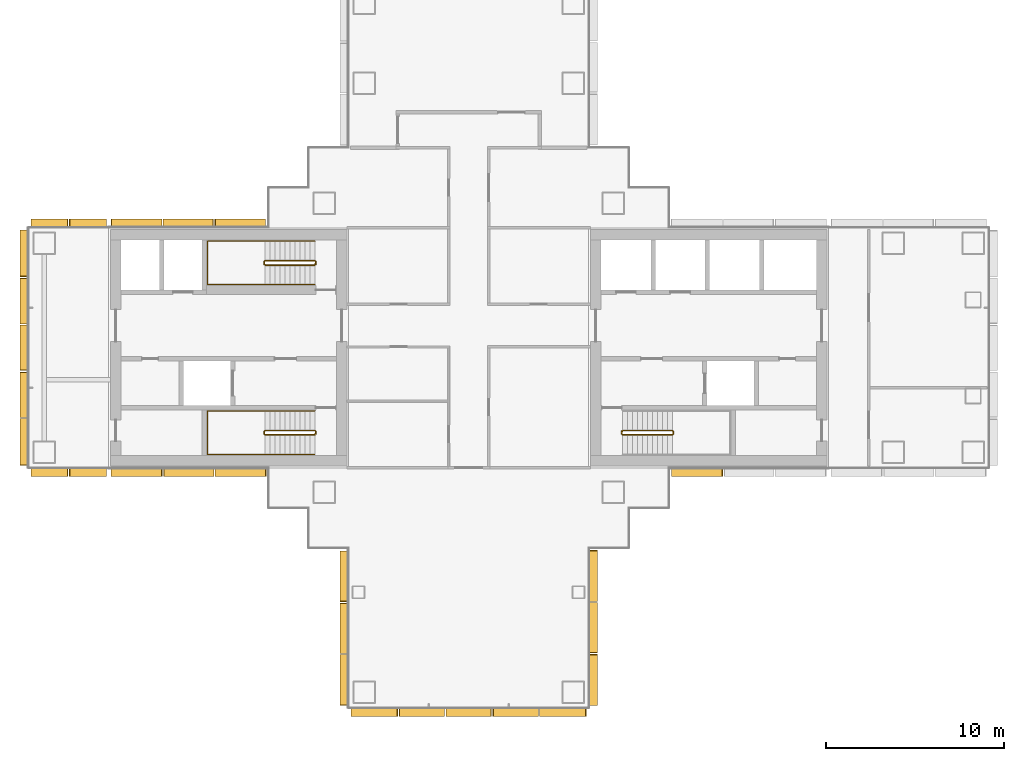
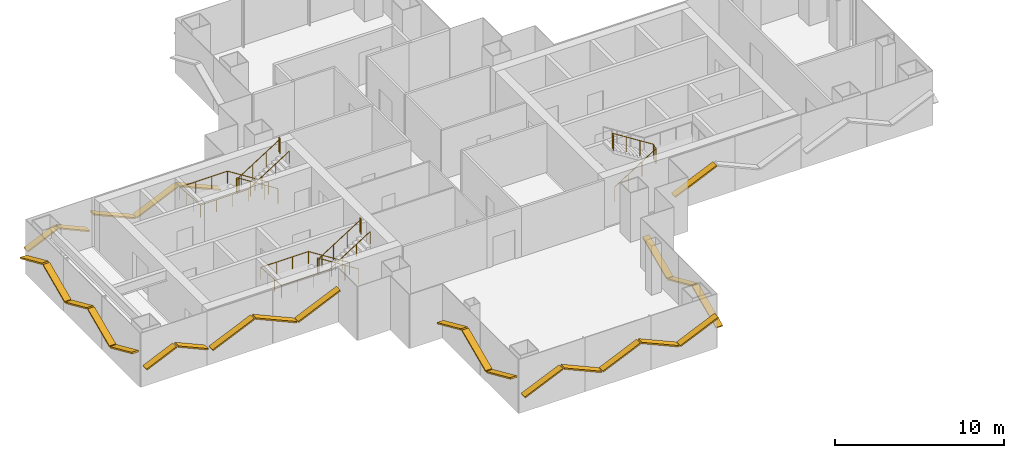
# One storey, part 16 of 19: 27 shading devices, 5 railings.
"""IFC4 building model written with IfcOpenShell, lengths in metres."""

import ifcopenshell
import ifcopenshell.guid

model = None  # the IFC model being written
_history = None  # IfcOwnerHistory: only IFC2X3 demands one
_inside = {}  # id of a spatial element -> (the spatial element, [elements in it])
_under = {}  # id of a project, library or spatial element -> (it, [spatial elements below it])
_declared = {}  # id of a project -> (the project, [libraries it declares])
_typed = {}  # id of a type object -> (the type object, [elements of that type])
_made_of = {}  # id of a material, layer set ... -> (it, [elements and type objects made of it])


def new_model(schema):
    """Start an empty IFC model of exactly this schema.

    Asked for "IFC4X3", IfcOpenShell would pick the latest addendum, in which some entities
    have other attributes; the version numbers below select the first issue.
    IFC2X3 requires an IfcOwnerHistory on every rooted entity: one is made here for all.
    """
    global model, _history
    if schema == "IFC4X3":
        model = ifcopenshell.file(schema_version=(4, 3, 0, 0))
    else:
        model = ifcopenshell.file(schema=schema)
    _inside.clear()
    _under.clear()
    _declared.clear()
    _typed.clear()
    _made_of.clear()
    _history = None
    if model.schema == "IFC2X3":
        org = make("IfcOrganization", Name="unknown")
        user = make(
            "IfcPersonAndOrganization",
            ThePerson=make("IfcPerson", FamilyName="unknown"),
            TheOrganization=org,
        )
        app = make(
            "IfcApplication",
            ApplicationDeveloper=org,
            Version="unknown",
            ApplicationFullName="unknown",
            ApplicationIdentifier="unknown",
        )
        _history = make(
            "IfcOwnerHistory",
            OwningUser=user,
            OwningApplication=app,
            ChangeAction="ADDED",
            CreationDate=0,
        )
    return model


def make(cls, **values):
    """One entity of the class cls with the attributes given. An attribute that is None is left unset."""
    return model.create_entity(
        cls, **{name: value for name, value in values.items() if value is not None}
    )


def rooted(cls, **values):
    """An entity with a GlobalId (a new one), such as an element, a storey or a relation."""
    return make(cls, GlobalId=ifcopenshell.guid.new(), OwnerHistory=_history, **values)


def si_unit(unit_type, name, prefix=None):
    """IfcSIUnit, for example si_unit("LENGTHUNIT", "METRE", prefix="MILLI")."""
    return make("IfcSIUnit", UnitType=unit_type, Prefix=prefix, Name=name)


def assignment(units):
    """IfcUnitAssignment: the units of a project."""
    return None if units is None else make("IfcUnitAssignment", Units=units)


def point(xyz):
    """IfcCartesianPoint."""
    return None if xyz is None else make("IfcCartesianPoint", Coordinates=xyz)


def direction(xyz):
    """IfcDirection."""
    return None if xyz is None else make("IfcDirection", DirectionRatios=xyz)


def frame(location, z_axis=None, x_axis=None):
    """IfcAxis2Placement3D, a coordinate frame: its origin and axes. An axis left out is left unset."""
    return make(
        "IfcAxis2Placement3D",
        Location=point(location),
        Axis=direction(z_axis),
        RefDirection=direction(x_axis),
    )


def frame_2d(location, x_axis=None):
    """IfcAxis2Placement2D, a coordinate frame in the plane: its origin and x axis."""
    return make(
        "IfcAxis2Placement2D", Location=point(location), RefDirection=direction(x_axis)
    )


def origin():
    """The frame at (0, 0, 0) with its axes left unset."""
    return frame((0.0, 0.0, 0.0))


def origin_2d():
    """The frame at (0, 0) in the plane with its x axis left unset."""
    return frame_2d((0.0, 0.0))


def place(relative_to, where):
    """IfcLocalPlacement: puts the frame where relative to a parent placement (None: the world)."""
    return make(
        "IfcLocalPlacement", PlacementRelTo=relative_to, RelativePlacement=where
    )


def context(
    kind, dimensions, precision=None, world=None, true_north=None, identifier=None
):
    """IfcGeometricRepresentationContext, for example the 3D "Model" context."""
    return make(
        "IfcGeometricRepresentationContext",
        ContextIdentifier=identifier,
        ContextType=kind,
        CoordinateSpaceDimension=dimensions,
        Precision=precision,
        WorldCoordinateSystem=world,
        TrueNorth=true_north,
    )


def subcontext(parent, identifier, kind, view, scale=None):
    """IfcGeometricRepresentationSubContext, for example "Body" below "Model"."""
    return make(
        "IfcGeometricRepresentationSubContext",
        ContextIdentifier=identifier,
        ContextType=kind,
        ParentContext=parent,
        TargetScale=scale,
        TargetView=view,
    )


def project(units=None, contexts=None):
    """IfcProject with its units and contexts."""
    return rooted(
        "IfcProject",
        Name="project",
        RepresentationContexts=contexts,
        UnitsInContext=assignment(units),
    )


def spatial(cls, under=None, at=None, **own):
    """A site, building, storey or space (cls), placed at a placement, below another one or the project."""
    s = rooted(cls, ObjectPlacement=at, **own)
    if under is not None:
        _under.setdefault(under.id(), (under, []))[1].append(s)
    return s


def profile(cls, at=None, kind="AREA", **sizes):
    """A parametric profile (cls). Its sizes go by their IFC names, for example OverallWidth=200.0."""
    return make(cls, ProfileType=kind, Position=at, **sizes)


def rectangle(**sizes):
    """IfcRectangleProfileDef."""
    return profile("IfcRectangleProfileDef", **sizes)


def circle(**sizes):
    """IfcCircleProfileDef."""
    return profile("IfcCircleProfileDef", **sizes)


def extrude(swept, where, along, depth):
    """IfcExtrudedAreaSolid: the profile swept, set in the frame where, extruded along a direction by depth."""
    return make(
        "IfcExtrudedAreaSolid",
        SweptArea=swept,
        Position=where,
        ExtrudedDirection=direction(along),
        Depth=depth,
    )


def shape(context_of_items, identifier, shape_type, items):
    """IfcShapeRepresentation: the items that make up one representation, for example the "Body"."""
    return make(
        "IfcShapeRepresentation",
        ContextOfItems=context_of_items,
        RepresentationIdentifier=identifier,
        RepresentationType=shape_type,
        Items=items,
    )


def material(Name=None, Category=None):
    """IfcMaterial."""
    return make("IfcMaterial", Name=Name, Category=Category)


def material_profile(
    of_material, cross_section, Name=None, Category=None, Priority=None
):
    """IfcMaterialProfile: a cross section and its material."""
    return make(
        "IfcMaterialProfile",
        Name=Name,
        Material=of_material,
        Profile=cross_section,
        Priority=Priority,
        Category=Category,
    )


def profile_set(profiles, Name=None, composite=None):
    """IfcMaterialProfileSet."""
    return make(
        "IfcMaterialProfileSet",
        Name=Name,
        MaterialProfiles=profiles,
        CompositeProfile=composite,
    )


def made_of(thing, what):
    """Note that an element or type object is made of a material, layer set ...; save() writes the relation."""
    if what is not None:
        _made_of.setdefault(what.id(), (what, []))[1].append(thing)
    return thing


def type_object(cls, material=None, **own):
    """A type object (cls), such as IfcWallType, which elements share."""
    return made_of(rooted(cls, **own), material)


def element(
    cls,
    number,
    at=None,
    inside=None,
    cuts=None,
    type_object=None,
    material=None,
    context=None,
    identifier="Body",
    shape_type=None,
    held_by="IfcProductDefinitionShape",
    body=None,
    shapes=None,
    **own,
):
    """One element of the class cls, such as IfcWall. Its Tag is "e" and its number.

    at: its placement. inside: the storey or other place that contains it. cuts: it is an
    opening in that element (IfcRelVoidsElement). A single representation is given by context,
    identifier, shape_type and body (its items); several are given by shapes. held_by: the class
    of the entity that holds the representations. save() writes the other relations.
    """
    e = rooted(cls, Tag="e%d" % number, ObjectPlacement=at, **own)
    if body is not None:
        shapes = [shape(context, identifier, shape_type, body)]
    if shapes is not None:
        e.Representation = make(held_by, Representations=shapes)
    if inside is not None:
        _inside.setdefault(inside.id(), (inside, []))[1].append(e)
    if cuts is not None:
        rooted(
            "IfcRelVoidsElement", RelatingBuildingElement=cuts, RelatedOpeningElement=e
        )
    if type_object is not None:
        _typed.setdefault(type_object.id(), (type_object, []))[1].append(e)
    return made_of(e, material)


def aggregate(whole, parts):
    """IfcRelAggregates: a whole, such as a stair, and the parts it consists of."""
    return rooted("IfcRelAggregates", RelatingObject=whole, RelatedObjects=parts)


def save(model, path):
    """Write the relations noted so far, then the file.

    IfcRelAggregates (storeys below a building ...), IfcRelContainedInSpatialStructure (elements
    in a storey), IfcRelDefinesByType, IfcRelAssociatesMaterial and IfcRelDeclares: one each for
    every whole, place, type object, material and project.
    """
    for whole, parts in _under.values():
        aggregate(whole, parts)
    for where, things in _inside.values():
        rooted(
            "IfcRelContainedInSpatialStructure",
            RelatedElements=things,
            RelatingStructure=where,
        )
    for kind, things in _typed.values():
        rooted("IfcRelDefinesByType", RelatedObjects=things, RelatingType=kind)
    for what, things in _made_of.values():
        rooted("IfcRelAssociatesMaterial", RelatedObjects=things, RelatingMaterial=what)
    for by, libraries in _declared.values():
        rooted("IfcRelDeclares", RelatingContext=by, RelatedDefinitions=libraries)
    model.write(path)


model = new_model("IFC4")

# Units and contexts
model_context = context("Model", 3, precision=1e-05, world=origin(), true_north=direction((0.0, 1.0)))
body_context = subcontext(model_context, "Body", "Model", "MODEL_VIEW")
ifc_project = project(units=[si_unit("LENGTHUNIT", "METRE"), si_unit("AREAUNIT", "SQUARE_METRE"), si_unit("VOLUMEUNIT", "CUBIC_METRE"), si_unit("PLANEANGLEUNIT", "RADIAN"), si_unit("MASSUNIT", "GRAM", prefix="KILO")], contexts=[model_context])

# Site, building, storey
site_placement = place(None, origin())
site = spatial("IfcSite", under=ifc_project, at=site_placement, CompositionType="ELEMENT")
building_placement = place(site_placement, origin())
building = spatial("IfcBuilding", under=site, at=building_placement, Name="Shamsa Quay Exchange Towers", CompositionType="ELEMENT")
storey_placement = place(building_placement, frame((0.0, 0.0, 89.699951171875)))
storey = spatial("IfcBuildingStorey", under=building, at=storey_placement, Name="L20", CompositionType="ELEMENT", Elevation=89.699951171875)

# Shading devices
ifc_material_1 = material(Name="Aluminium EN AW-6063 T6, black anodised", Category="aluminium")
ifc_material_profile = material_profile(ifc_material_1, rectangle(XDim=0.449951171875, YDim=0.10009765625, at=origin_2d()), Name="FIN450x100")
ifc_profile_set = profile_set([ifc_material_profile], Name="Aluminium EN AW-6063 T6, black anodised")
shading_device_type = type_object("IfcShadingDeviceType", Name="FIN 450x100 BLACK ALUMINIUM", PredefinedType="USERDEFINED", material=ifc_profile_set)
shading_device_1_placement = place(storey_placement, frame((-40.764892578125, -11.43798828125, 0.968505859375), z_axis=(0.0, -0.913558535862, 0.406707267643), x_axis=(1.0, 0.0, 0.0)))
element("IfcShadingDevice", 1, at=shading_device_1_placement, inside=storey, type_object=shading_device_type, Name="FIN T1 chevron rib", ObjectType="FIN", PredefinedType="USERDEFINED", context=body_context, shape_type="SweptSolid", body=[
    extrude(rectangle(XDim=0.449951171875, YDim=0.10009765625, at=origin_2d()), origin(), (0.0, 0.0, 1.0), 3.10595703125),
])
shading_device_2_placement = place(storey_placement, frame((-40.764892578125, -14.375244140625, 2.220458984375), z_axis=(0.0, -0.913550687431, -0.406724896576), x_axis=(1.0, 0.0, 0.0)))
element("IfcShadingDevice", 2, at=shading_device_2_placement, inside=storey, type_object=shading_device_type, Name="FIN T1 chevron rib", ObjectType="FIN", PredefinedType="USERDEFINED", context=body_context, shape_type="SweptSolid", body=[
    extrude(rectangle(XDim=0.449951171875, YDim=0.10009765625, at=origin_2d()), origin(), (0.0, 0.0, 1.0), 3.051025390625),
])
shading_device_3_placement = place(storey_placement, frame((-40.764892578125, -17.2626953125, 0.968505859375), z_axis=(0.0, -0.913558535862, 0.406707267643), x_axis=(1.0, 0.0, 0.0)))
element("IfcShadingDevice", 3, at=shading_device_3_placement, inside=storey, type_object=shading_device_type, Name="FIN T1 chevron rib", ObjectType="FIN", PredefinedType="USERDEFINED", context=body_context, shape_type="SweptSolid", body=[
    extrude(rectangle(XDim=0.449951171875, YDim=0.10009765625, at=origin_2d()), origin(), (0.0, 0.0, 1.0), 3.10595703125),
])
shading_device_4_placement = place(storey_placement, frame((-40.35009765625, -20.514892578125, 1.0234375), z_axis=(0.91355925163, 0.0, 0.406705659859), x_axis=(0.0, 1.0, 0.0)))
element("IfcShadingDevice", 4, at=shading_device_4_placement, inside=storey, type_object=shading_device_type, Name="FIN T1 chevron rib", ObjectType="FIN", PredefinedType="USERDEFINED", context=body_context, shape_type="SweptSolid", body=[
    extrude(rectangle(XDim=0.449951171875, YDim=0.10009765625, at=origin_2d()), origin(), (0.0, 0.0, 1.0), 2.835205078125),
])
shading_device_5_placement = place(storey_placement, frame((-37.659912109375, -20.514892578125, 2.16552734375), z_axis=(0.913536125794, 0.0, -0.406757602103), x_axis=(0.0, 1.0, 0.0)))
element("IfcShadingDevice", 5, at=shading_device_5_placement, inside=storey, type_object=shading_device_type, Name="FIN T1 chevron rib", ObjectType="FIN", PredefinedType="USERDEFINED", context=body_context, shape_type="SweptSolid", body=[
    extrude(rectangle(XDim=0.449951171875, YDim=0.10009765625, at=origin_2d()), origin(), (0.0, 0.0, 1.0), 2.7802734375),
])
shading_device_6_placement = place(storey_placement, frame((-35.02001953125, -20.514892578125, 1.03466796875), z_axis=(0.913550653139, 0.0, 0.4067249736), x_axis=(0.0, 1.0, 0.0)))
element("IfcShadingDevice", 6, at=shading_device_6_placement, inside=storey, type_object=shading_device_type, Name="FIN T1 chevron rib", ObjectType="FIN", PredefinedType="USERDEFINED", context=body_context, shape_type="SweptSolid", body=[
    extrude(rectangle(XDim=0.449951171875, YDim=0.10009765625, at=origin_2d()), origin(), (0.0, 0.0, 1.0), 2.780517578125),
])
shading_device_7_placement = place(storey_placement, frame((-32.3798828125, -20.514892578125, 2.16552734375), z_axis=(0.913536125794, 0.0, -0.406757602103), x_axis=(0.0, 1.0, 0.0)))
element("IfcShadingDevice", 7, at=shading_device_7_placement, inside=storey, type_object=shading_device_type, Name="FIN T1 chevron rib", ObjectType="FIN", PredefinedType="USERDEFINED", context=body_context, shape_type="SweptSolid", body=[
    extrude(rectangle(XDim=0.449951171875, YDim=0.10009765625, at=origin_2d()), origin(), (0.0, 0.0, 1.0), 2.7802734375),
])
shading_device_8_placement = place(storey_placement, frame((-29.739990234375, -20.514892578125, 1.0234375), z_axis=(0.91355925163, 0.0, 0.406705659859), x_axis=(0.0, 1.0, 0.0)))
element("IfcShadingDevice", 8, at=shading_device_8_placement, inside=storey, type_object=shading_device_type, Name="FIN T1 chevron rib", ObjectType="FIN", PredefinedType="USERDEFINED", context=body_context, shape_type="SweptSolid", body=[
    extrude(rectangle(XDim=0.449951171875, YDim=0.10009765625, at=origin_2d()), origin(), (0.0, 0.0, 1.0), 2.835205078125),
])
shading_device_9_placement = place(storey_placement, frame((-26.735107421875, -20.10009765625, 0.965576171875), z_axis=(0.0, 0.913533816972, 0.406762787444), x_axis=(-1.0, 0.0, 0.0)))
element("IfcShadingDevice", 9, at=shading_device_9_placement, inside=storey, type_object=shading_device_type, Name="FIN T1 chevron rib", ObjectType="FIN", PredefinedType="USERDEFINED", context=body_context, shape_type="SweptSolid", body=[
    extrude(rectangle(XDim=0.449951171875, YDim=0.10009765625, at=origin_2d()), origin(), (0.0, 0.0, 1.0), 3.119873046875),
])
shading_device_10_placement = place(storey_placement, frame((-26.735107421875, -17.14990234375, 2.223388671875), z_axis=(0.0, 0.913541981537, -0.406744450447), x_axis=(-1.0, 0.0, 0.0)))
element("IfcShadingDevice", 10, at=shading_device_10_placement, inside=storey, type_object=shading_device_type, Name="FIN T1 chevron rib", ObjectType="FIN", PredefinedType="USERDEFINED", context=body_context, shape_type="SweptSolid", body=[
    extrude(rectangle(XDim=0.449951171875, YDim=0.10009765625, at=origin_2d()), origin(), (0.0, 0.0, 1.0), 3.064697265625),
])
shading_device_11_placement = place(storey_placement, frame((-26.735107421875, -14.25, 0.965576171875), z_axis=(0.0, 0.913533816972, 0.406762787444), x_axis=(-1.0, 0.0, 0.0)))
element("IfcShadingDevice", 11, at=shading_device_11_placement, inside=storey, type_object=shading_device_type, Name="FIN T1 chevron rib", ObjectType="FIN", PredefinedType="USERDEFINED", context=body_context, shape_type="SweptSolid", body=[
    extrude(rectangle(XDim=0.449951171875, YDim=0.10009765625, at=origin_2d()), origin(), (0.0, 0.0, 1.0), 3.119873046875),
])
for number, where, z_axis, x_axis, name in (
    (12, (-22.31201171875, -7.01904296875, 0.968505859375), (0.913558535862, 0.0, 0.406707267643), (0.0, 1.0, 0.0), "FIN T1 chevron rib"),
    (13, (-45.18798828125, 7.01904296875, 0.968505859375), (-0.913558535862, 0.0, 0.406707267643), (0.0, -1.0, 0.0), "FIN T1 chevron rib"),
):
    element("IfcShadingDevice", number, at=place(storey_placement, frame(where, z_axis=z_axis, x_axis=x_axis)), inside=storey, type_object=shading_device_type, Name=name, ObjectType="FIN", PredefinedType="USERDEFINED", context=body_context, shape_type="SweptSolid", body=[
        extrude(rectangle(XDim=0.449951171875, YDim=0.10009765625, at=origin_2d()), origin(), (0.0, 0.0, 1.0), 3.10595703125),
    ])
shading_device_12_placement = place(storey_placement, frame((-48.125244140625, 7.01904296875, 2.220458984375), z_axis=(-0.913550687431, 0.0, -0.406724896576), x_axis=(0.0, -1.0, 0.0)))
element("IfcShadingDevice", 14, at=shading_device_12_placement, inside=storey, type_object=shading_device_type, Name="FIN T1 chevron rib", ObjectType="FIN", PredefinedType="USERDEFINED", context=body_context, shape_type="SweptSolid", body=[
    extrude(rectangle(XDim=0.449951171875, YDim=0.10009765625, at=origin_2d()), origin(), (0.0, 0.0, 1.0), 3.051025390625),
])
shading_device_13_placement = place(storey_placement, frame((-51.0126953125, 7.01904296875, 0.968505859375), z_axis=(-0.913558535862, 0.0, 0.406707267643), x_axis=(0.0, -1.0, 0.0)))
element("IfcShadingDevice", 15, at=shading_device_13_placement, inside=storey, type_object=shading_device_type, Name="FIN T1 chevron rib", ObjectType="FIN", PredefinedType="USERDEFINED", context=body_context, shape_type="SweptSolid", body=[
    extrude(rectangle(XDim=0.449951171875, YDim=0.10009765625, at=origin_2d()), origin(), (0.0, 0.0, 1.0), 3.10595703125),
])
for number, where, z_axis, x_axis, name in (
    (16, (-54.14990234375, 7.014892578125, 1.143798828125), (-0.913569116241, 0.0, 0.406683500835), (0.0, -1.0, 0.0), "FIN T1 chevron rib"),
    (17, (-56.300048828125, 7.014892578125, 2.056396484375), (-0.913569116241, 0.0, -0.406683500835), (0.0, -1.0, 0.0), "FIN T1 chevron rib"),
):
    element("IfcShadingDevice", number, at=place(storey_placement, frame(where, z_axis=z_axis, x_axis=x_axis)), inside=storey, type_object=shading_device_type, Name=name, ObjectType="FIN", PredefinedType="USERDEFINED", context=body_context, shape_type="SweptSolid", body=[
        extrude(rectangle(XDim=0.449951171875, YDim=0.10009765625, at=origin_2d()), origin(), (0.0, 0.0, 1.0), 2.243896484375),
    ])
shading_device_14_placement = place(storey_placement, frame((-58.764892578125, 6.60009765625, 1.0234375), z_axis=(0.0, -0.91355925163, 0.406705659859), x_axis=(1.0, 0.0, 0.0)))
element("IfcShadingDevice", 18, at=shading_device_14_placement, inside=storey, type_object=shading_device_type, Name="FIN T1 chevron rib", ObjectType="FIN", PredefinedType="USERDEFINED", context=body_context, shape_type="SweptSolid", body=[
    extrude(rectangle(XDim=0.449951171875, YDim=0.10009765625, at=origin_2d()), origin(), (0.0, 0.0, 1.0), 2.835205078125),
])
shading_device_15_placement = place(storey_placement, frame((-58.764892578125, 3.909912109375, 2.16552734375), z_axis=(0.0, -0.913536125794, -0.406757602103), x_axis=(1.0, 0.0, 0.0)))
element("IfcShadingDevice", 19, at=shading_device_15_placement, inside=storey, type_object=shading_device_type, Name="FIN T1 chevron rib", ObjectType="FIN", PredefinedType="USERDEFINED", context=body_context, shape_type="SweptSolid", body=[
    extrude(rectangle(XDim=0.449951171875, YDim=0.10009765625, at=origin_2d()), origin(), (0.0, 0.0, 1.0), 2.7802734375),
])
shading_device_16_placement = place(storey_placement, frame((-58.764892578125, 1.27001953125, 1.03466796875), z_axis=(0.0, -0.913550653139, 0.4067249736), x_axis=(1.0, 0.0, 0.0)))
element("IfcShadingDevice", 20, at=shading_device_16_placement, inside=storey, type_object=shading_device_type, Name="FIN T1 chevron rib", ObjectType="FIN", PredefinedType="USERDEFINED", context=body_context, shape_type="SweptSolid", body=[
    extrude(rectangle(XDim=0.449951171875, YDim=0.10009765625, at=origin_2d()), origin(), (0.0, 0.0, 1.0), 2.780517578125),
])
shading_device_17_placement = place(storey_placement, frame((-58.764892578125, -1.3701171875, 2.16552734375), z_axis=(0.0, -0.913536125794, -0.406757602103), x_axis=(1.0, 0.0, 0.0)))
element("IfcShadingDevice", 21, at=shading_device_17_placement, inside=storey, type_object=shading_device_type, Name="FIN T1 chevron rib", ObjectType="FIN", PredefinedType="USERDEFINED", context=body_context, shape_type="SweptSolid", body=[
    extrude(rectangle(XDim=0.449951171875, YDim=0.10009765625, at=origin_2d()), origin(), (0.0, 0.0, 1.0), 2.7802734375),
])
shading_device_18_placement = place(storey_placement, frame((-58.764892578125, -4.010009765625, 1.0234375), z_axis=(0.0, -0.91355925163, 0.406705659859), x_axis=(1.0, 0.0, 0.0)))
element("IfcShadingDevice", 22, at=shading_device_18_placement, inside=storey, type_object=shading_device_type, Name="FIN T1 chevron rib", ObjectType="FIN", PredefinedType="USERDEFINED", context=body_context, shape_type="SweptSolid", body=[
    extrude(rectangle(XDim=0.449951171875, YDim=0.10009765625, at=origin_2d()), origin(), (0.0, 0.0, 1.0), 2.835205078125),
])
for number, where, z_axis, x_axis, name in (
    (23, (-58.35009765625, -7.014892578125, 1.143798828125), (0.913569116241, 0.0, 0.406683500835), (0.0, 1.0, 0.0), "FIN T1 chevron rib"),
    (24, (-56.199951171875, -7.014892578125, 2.056396484375), (0.913569116241, 0.0, -0.406683500835), (0.0, 1.0, 0.0), "FIN T1 chevron rib"),
):
    element("IfcShadingDevice", number, at=place(storey_placement, frame(where, z_axis=z_axis, x_axis=x_axis)), inside=storey, type_object=shading_device_type, Name=name, ObjectType="FIN", PredefinedType="USERDEFINED", context=body_context, shape_type="SweptSolid", body=[
        extrude(rectangle(XDim=0.449951171875, YDim=0.10009765625, at=origin_2d()), origin(), (0.0, 0.0, 1.0), 2.243896484375),
    ])
shading_device_19_placement = place(storey_placement, frame((-53.85009765625, -7.01904296875, 0.965576171875), z_axis=(0.913533816972, 0.0, 0.406762787444), x_axis=(0.0, 1.0, 0.0)))
element("IfcShadingDevice", 25, at=shading_device_19_placement, inside=storey, type_object=shading_device_type, Name="FIN T1 chevron rib", ObjectType="FIN", PredefinedType="USERDEFINED", context=body_context, shape_type="SweptSolid", body=[
    extrude(rectangle(XDim=0.449951171875, YDim=0.10009765625, at=origin_2d()), origin(), (0.0, 0.0, 1.0), 3.119873046875),
])
shading_device_20_placement = place(storey_placement, frame((-50.89990234375, -7.01904296875, 2.223388671875), z_axis=(0.913541981537, 0.0, -0.406744450447), x_axis=(0.0, 1.0, 0.0)))
element("IfcShadingDevice", 26, at=shading_device_20_placement, inside=storey, type_object=shading_device_type, Name="FIN T1 chevron rib", ObjectType="FIN", PredefinedType="USERDEFINED", context=body_context, shape_type="SweptSolid", body=[
    extrude(rectangle(XDim=0.449951171875, YDim=0.10009765625, at=origin_2d()), origin(), (0.0, 0.0, 1.0), 3.064697265625),
])
shading_device_21_placement = place(storey_placement, frame((-48.0, -7.01904296875, 0.965576171875), z_axis=(0.913533816972, 0.0, 0.406762787444), x_axis=(0.0, 1.0, 0.0)))
element("IfcShadingDevice", 27, at=shading_device_21_placement, inside=storey, type_object=shading_device_type, Name="FIN T1 chevron rib", ObjectType="FIN", PredefinedType="USERDEFINED", context=body_context, shape_type="SweptSolid", body=[
    extrude(rectangle(XDim=0.449951171875, YDim=0.10009765625, at=origin_2d()), origin(), (0.0, 0.0, 1.0), 3.119873046875),
])

# Railings
ifc_material_2 = material(Name="Stainless steel", Category="steel")
railing_type_1 = type_object("IfcRailingType", Name="STAIR GUARD 1100", PredefinedType="GUARDRAIL", material=ifc_material_2)
railing_1_placement = place(storey_placement, frame((-25.10009765625, -4.89990234375, 0.17724609375)))
element("IfcRailing", 28, at=railing_1_placement, inside=storey, type_object=railing_type_1, Name="L20 ST1 stair guard 1", PredefinedType="GUARDRAIL", context=body_context, shape_type="SweptSolid", body=[
    extrude(circle(Radius=0.02392578125, at=origin_2d()), frame((0.0, 0.0, 1.076171875), z_axis=(0.844908973607, 0.0, 0.534910110503), x_axis=(0.0, 1.0, 0.0)), (0.0, 0.0, 1.0), 3.31396484375),
    extrude(circle(Radius=0.02392578125, at=origin_2d()), frame((2.800048828125, 0.0, 2.8486328125), z_axis=(0.708833529934, 0.705375805398, 0.0), x_axis=(-0.705375805398, 0.708833529934, 0.0)), (0.0, 0.0, 1.0), 0.070556640625),
    extrude(circle(Radius=0.02392578125, at=origin_2d()), frame((2.85009765625, 0.0498046875, 2.8486328125), z_axis=(0.0, 1.0, 0.0), x_axis=(-1.0, 0.0, 0.0)), (0.0, 0.0, 1.0), 0.150146484375),
    extrude(circle(Radius=0.02392578125, at=origin_2d()), frame((2.85009765625, 0.199951171875, 2.8486328125), z_axis=(-0.261922500866, 0.261922500866, 0.928866625022), x_axis=(-0.707106781187, -0.707106781187, 0.0)), (0.0, 0.0, 1.0), 0.191162109375),
    extrude(circle(Radius=0.02392578125, at=origin_2d()), frame((2.800048828125, 0.25, 3.0263671875), z_axis=(-0.844908973607, 0.0, 0.534910110503), x_axis=(0.0, -1.0, 0.0)), (0.0, 0.0, 1.0), 3.31396484375),
    extrude(circle(Radius=0.02392578125, at=origin_2d()), frame((0.0, 0.25, 4.798828125), z_axis=(-0.24142163986, -0.970420317083, 0.0), x_axis=(0.970420317083, -0.24142163986, 0.0)), (0.0, 0.0, 1.0), 0.206298828125),
    extrude(circle(Radius=0.02392578125, at=origin_2d()), frame((-0.0498046875, 0.0498046875, 4.798828125), z_axis=(0.0, 1.0, 0.0), x_axis=(-1.0, 0.0, 0.0)), (0.0, 0.0, 1.0), 0.150146484375),
    extrude(circle(Radius=0.02099609375, at=origin_2d()), origin(), (0.0, 0.0, 1.0), 1.052001953125),
    extrude(circle(Radius=0.02099609375, at=origin_2d()), frame((0.933349609375, 0.0, 0.5908203125)), (0.0, 0.0, 1.0), 1.052001953125),
    extrude(circle(Radius=0.02099609375, at=origin_2d()), frame((1.86669921875, 0.0, 1.181884765625)), (0.0, 0.0, 1.0), 1.052001953125),
    extrude(circle(Radius=0.02099609375, at=origin_2d()), frame((2.800048828125, 0.0, 1.772705078125)), (0.0, 0.0, 1.0), 1.052001953125),
    extrude(circle(Radius=0.02099609375, at=origin_2d()), frame((2.85009765625, 0.0498046875, 1.772705078125)), (0.0, 0.0, 1.0), 1.052001953125),
    extrude(circle(Radius=0.02099609375, at=origin_2d()), frame((2.85009765625, 0.199951171875, 1.772705078125)), (0.0, 0.0, 1.0), 1.052001953125),
    extrude(circle(Radius=0.02099609375, at=origin_2d()), frame((2.800048828125, 0.25, 1.9501953125)), (0.0, 0.0, 1.0), 1.052001953125),
    extrude(circle(Radius=0.02099609375, at=origin_2d()), frame((1.86669921875, 0.25, 2.541015625)), (0.0, 0.0, 1.0), 1.052001953125),
    extrude(circle(Radius=0.02099609375, at=origin_2d()), frame((0.933349609375, 0.25, 3.132080078125)), (0.0, 0.0, 1.0), 1.052001953125),
    extrude(circle(Radius=0.02099609375, at=origin_2d()), frame((0.0, 0.25, 3.722900390625)), (0.0, 0.0, 1.0), 1.052001953125),
    extrude(circle(Radius=0.02099609375, at=origin_2d()), frame((-0.0498046875, 0.0498046875, 3.722900390625)), (0.0, 0.0, 1.0), 1.052001953125),
    extrude(circle(Radius=0.02099609375, at=origin_2d()), frame((-0.0498046875, 0.199951171875, 3.722900390625)), (0.0, 0.0, 1.0), 1.052001953125),
])
railing_2_placement = place(storey_placement, frame((-42.39990234375, -4.64990234375, 0.17724609375)))
element("IfcRailing", 29, at=railing_2_placement, inside=storey, type_object=railing_type_1, Name="L20 ST2 stair guard 1", PredefinedType="GUARDRAIL", context=body_context, shape_type="SweptSolid", body=[
    extrude(circle(Radius=0.02392578125, at=origin_2d()), frame((0.0, 0.0, 1.076171875), z_axis=(-0.844908973607, 0.0, 0.534910110503), x_axis=(0.0, -1.0, 0.0)), (0.0, 0.0, 1.0), 3.31396484375),
    extrude(circle(Radius=0.02392578125, at=origin_2d()), frame((-2.800048828125, 0.0, 2.8486328125), z_axis=(-0.707106781187, -0.707106781187, 0.0), x_axis=(0.707106781187, -0.707106781187, 0.0)), (0.0, 0.0, 1.0), 0.07080078125),
    extrude(circle(Radius=0.02392578125, at=origin_2d()), frame((-2.85009765625, -0.050048828125, 2.8486328125), z_axis=(0.0, -1.0, 0.0), x_axis=(1.0, 0.0, 0.0)), (0.0, 0.0, 1.0), 0.150146484375),
    extrude(circle(Radius=0.02392578125, at=origin_2d()), frame((-2.85009765625, -0.2001953125, 2.8486328125), z_axis=(0.262009983441, -0.260731885961, 0.929176868105), x_axis=(0.705375805398, 0.708833529934, 0.0)), (0.0, 0.0, 1.0), 0.19091796875),
    extrude(circle(Radius=0.02392578125, at=origin_2d()), frame((-2.800048828125, -0.25, 3.0263671875), z_axis=(0.844908973607, 0.0, 0.534910110503), x_axis=(0.0, 1.0, 0.0)), (0.0, 0.0, 1.0), 3.31396484375),
    extrude(circle(Radius=0.02392578125, at=origin_2d()), frame((0.0, -0.25, 4.798828125), z_axis=(0.241699205484, 0.970351222016, 0.0), x_axis=(-0.970351222016, 0.241699205484, 0.0)), (0.0, 0.0, 1.0), 0.2060546875),
    extrude(circle(Radius=0.02392578125, at=origin_2d()), frame((0.0498046875, -0.050048828125, 4.798828125), z_axis=(0.0, -1.0, 0.0), x_axis=(1.0, 0.0, 0.0)), (0.0, 0.0, 1.0), 0.150146484375),
    extrude(circle(Radius=0.02099609375, at=origin_2d()), origin(), (0.0, 0.0, 1.0), 1.052001953125),
    extrude(circle(Radius=0.02099609375, at=origin_2d()), frame((-0.933349609375, 0.0, 0.5908203125)), (0.0, 0.0, 1.0), 1.052001953125),
    extrude(circle(Radius=0.02099609375, at=origin_2d()), frame((-1.86669921875, 0.0, 1.181884765625)), (0.0, 0.0, 1.0), 1.052001953125),
    extrude(circle(Radius=0.02099609375, at=origin_2d()), frame((-2.800048828125, 0.0, 1.772705078125)), (0.0, 0.0, 1.0), 1.052001953125),
    extrude(circle(Radius=0.02099609375, at=origin_2d()), frame((-2.85009765625, -0.050048828125, 1.772705078125)), (0.0, 0.0, 1.0), 1.052001953125),
    extrude(circle(Radius=0.02099609375, at=origin_2d()), frame((-2.85009765625, -0.2001953125, 1.772705078125)), (0.0, 0.0, 1.0), 1.052001953125),
    extrude(circle(Radius=0.02099609375, at=origin_2d()), frame((-2.800048828125, -0.25, 1.9501953125)), (0.0, 0.0, 1.0), 1.052001953125),
    extrude(circle(Radius=0.02099609375, at=origin_2d()), frame((-1.86669921875, -0.25, 2.541015625)), (0.0, 0.0, 1.0), 1.052001953125),
    extrude(circle(Radius=0.02099609375, at=origin_2d()), frame((-0.933349609375, -0.25, 3.132080078125)), (0.0, 0.0, 1.0), 1.052001953125),
    extrude(circle(Radius=0.02099609375, at=origin_2d()), frame((0.0, -0.25, 3.722900390625)), (0.0, 0.0, 1.0), 1.052001953125),
    extrude(circle(Radius=0.02099609375, at=origin_2d()), frame((0.0498046875, -0.050048828125, 3.722900390625)), (0.0, 0.0, 1.0), 1.052001953125),
    extrude(circle(Radius=0.02099609375, at=origin_2d()), frame((0.0498046875, -0.2001953125, 3.722900390625)), (0.0, 0.0, 1.0), 1.052001953125),
])
railing_3_placement = place(storey_placement, frame((-42.39990234375, 4.89990234375, 0.17724609375)))
element("IfcRailing", 30, at=railing_3_placement, inside=storey, type_object=railing_type_1, Name="L20 ST3 stair guard 1", PredefinedType="GUARDRAIL", context=body_context, shape_type="SweptSolid", body=[
    extrude(circle(Radius=0.02392578125, at=origin_2d()), frame((0.0, 0.0, 1.076171875), z_axis=(-0.844908973607, 0.0, 0.534910110503), x_axis=(0.0, -1.0, 0.0)), (0.0, 0.0, 1.0), 3.31396484375),
    extrude(circle(Radius=0.02392578125, at=origin_2d()), frame((-2.800048828125, 0.0, 2.8486328125), z_axis=(-0.708833529934, -0.705375805398, 0.0), x_axis=(0.705375805398, -0.708833529934, 0.0)), (0.0, 0.0, 1.0), 0.070556640625),
    extrude(circle(Radius=0.02392578125, at=origin_2d()), frame((-2.85009765625, -0.0498046875, 2.8486328125), z_axis=(0.0, -1.0, 0.0), x_axis=(1.0, 0.0, 0.0)), (0.0, 0.0, 1.0), 0.150146484375),
    extrude(circle(Radius=0.02392578125, at=origin_2d()), frame((-2.85009765625, -0.199951171875, 2.8486328125), z_axis=(0.261922500866, -0.261922500866, 0.928866625022), x_axis=(0.707106781187, 0.707106781187, 0.0)), (0.0, 0.0, 1.0), 0.191162109375),
    extrude(circle(Radius=0.02392578125, at=origin_2d()), frame((-2.800048828125, -0.25, 3.0263671875), z_axis=(0.844908973607, 0.0, 0.534910110503), x_axis=(0.0, 1.0, 0.0)), (0.0, 0.0, 1.0), 3.31396484375),
    extrude(circle(Radius=0.02392578125, at=origin_2d()), frame((0.0, -0.25, 4.798828125), z_axis=(0.24142163986, 0.970420317083, 0.0), x_axis=(-0.970420317083, 0.24142163986, 0.0)), (0.0, 0.0, 1.0), 0.206298828125),
    extrude(circle(Radius=0.02392578125, at=origin_2d()), frame((0.0498046875, -0.0498046875, 4.798828125), z_axis=(0.0, -1.0, 0.0), x_axis=(1.0, 0.0, 0.0)), (0.0, 0.0, 1.0), 0.150146484375),
    extrude(circle(Radius=0.02099609375, at=origin_2d()), origin(), (0.0, 0.0, 1.0), 1.052001953125),
    extrude(circle(Radius=0.02099609375, at=origin_2d()), frame((-0.933349609375, 0.0, 0.5908203125)), (0.0, 0.0, 1.0), 1.052001953125),
    extrude(circle(Radius=0.02099609375, at=origin_2d()), frame((-1.86669921875, 0.0, 1.181884765625)), (0.0, 0.0, 1.0), 1.052001953125),
    extrude(circle(Radius=0.02099609375, at=origin_2d()), frame((-2.800048828125, 0.0, 1.772705078125)), (0.0, 0.0, 1.0), 1.052001953125),
    extrude(circle(Radius=0.02099609375, at=origin_2d()), frame((-2.85009765625, -0.0498046875, 1.772705078125)), (0.0, 0.0, 1.0), 1.052001953125),
    extrude(circle(Radius=0.02099609375, at=origin_2d()), frame((-2.85009765625, -0.199951171875, 1.772705078125)), (0.0, 0.0, 1.0), 1.052001953125),
    extrude(circle(Radius=0.02099609375, at=origin_2d()), frame((-2.800048828125, -0.25, 1.9501953125)), (0.0, 0.0, 1.0), 1.052001953125),
    extrude(circle(Radius=0.02099609375, at=origin_2d()), frame((-1.86669921875, -0.25, 2.541015625)), (0.0, 0.0, 1.0), 1.052001953125),
    extrude(circle(Radius=0.02099609375, at=origin_2d()), frame((-0.933349609375, -0.25, 3.132080078125)), (0.0, 0.0, 1.0), 1.052001953125),
    extrude(circle(Radius=0.02099609375, at=origin_2d()), frame((0.0, -0.25, 3.722900390625)), (0.0, 0.0, 1.0), 1.052001953125),
    extrude(circle(Radius=0.02099609375, at=origin_2d()), frame((0.0498046875, -0.0498046875, 3.722900390625)), (0.0, 0.0, 1.0), 1.052001953125),
    extrude(circle(Radius=0.02099609375, at=origin_2d()), frame((0.0498046875, -0.199951171875, 3.722900390625)), (0.0, 0.0, 1.0), 1.052001953125),
])
railing_type_2 = type_object("IfcRailingType", Name="STAIR HANDRAIL 900", PredefinedType="HANDRAIL", material=ifc_material_2)
railing_4_placement = place(storey_placement, frame((-42.39990234375, -3.550048828125, 0.17724609375)))
element("IfcRailing", 31, at=railing_4_placement, inside=storey, type_object=railing_type_2, Name="L20 ST2 stair handrail 1", PredefinedType="HANDRAIL", context=body_context, shape_type="SweptSolid", body=[
    extrude(circle(Radius=0.02392578125, at=origin_2d()), frame((0.0, 0.0, 0.8759765625), z_axis=(-0.844908973607, 0.0, 0.534910110503), x_axis=(0.0, -1.0, 0.0)), (0.0, 0.0, 1.0), 3.31396484375),
    extrude(circle(Radius=0.02392578125, at=origin_2d()), frame((-2.800048828125, 0.0, 2.6484375), z_axis=(-1.0, 0.0, 0.0), x_axis=(0.0, -1.0, 0.0)), (0.0, 0.0, 1.0), 3.25),
    extrude(circle(Radius=0.02392578125, at=origin_2d()), frame((-6.050048828125, 0.0, 2.6484375), z_axis=(0.0, -0.997386041853, 0.072257065513), x_axis=(1.0, 0.0, 0.0)), (0.0, 0.0, 1.0), 2.456298828125),
    extrude(circle(Radius=0.02392578125, at=origin_2d()), frame((-6.050048828125, -2.449951171875, 2.826171875), z_axis=(1.0, 0.0, 0.0), x_axis=(0.0, 1.0, 0.0)), (0.0, 0.0, 1.0), 3.25),
    extrude(circle(Radius=0.02392578125, at=origin_2d()), frame((-2.800048828125, -2.449951171875, 2.826171875), z_axis=(0.844908973607, 0.0, 0.534910110503), x_axis=(0.0, 1.0, 0.0)), (0.0, 0.0, 1.0), 3.31396484375),
    extrude(circle(Radius=0.02099609375, at=origin_2d()), origin(), (0.0, 0.0, 1.0), 0.851806640625),
    extrude(circle(Radius=0.02099609375, at=origin_2d()), frame((-0.933349609375, 0.0, 0.5908203125)), (0.0, 0.0, 1.0), 0.851806640625),
    extrude(circle(Radius=0.02099609375, at=origin_2d()), frame((-1.86669921875, 0.0, 1.181884765625)), (0.0, 0.0, 1.0), 0.851806640625),
    extrude(circle(Radius=0.02099609375, at=origin_2d()), frame((-2.800048828125, 0.0, 1.772705078125)), (0.0, 0.0, 1.0), 0.851806640625),
    extrude(circle(Radius=0.02099609375, at=origin_2d()), frame((-3.88330078125, 0.0, 1.772705078125)), (0.0, 0.0, 1.0), 0.851806640625),
    extrude(circle(Radius=0.02099609375, at=origin_2d()), frame((-4.966796875, 0.0, 1.772705078125)), (0.0, 0.0, 1.0), 0.851806640625),
    extrude(circle(Radius=0.02099609375, at=origin_2d()), frame((-6.050048828125, 0.0, 1.772705078125)), (0.0, 0.0, 1.0), 0.851806640625),
    extrude(circle(Radius=0.02099609375, at=origin_2d()), frame((-6.050048828125, -0.816650390625, 1.831787109375)), (0.0, 0.0, 1.0), 0.851806640625),
    extrude(circle(Radius=0.02099609375, at=origin_2d()), frame((-6.050048828125, -1.63330078125, 1.89111328125)), (0.0, 0.0, 1.0), 0.851806640625),
    extrude(circle(Radius=0.02099609375, at=origin_2d()), frame((-6.050048828125, -2.449951171875, 1.9501953125)), (0.0, 0.0, 1.0), 0.851806640625),
    extrude(circle(Radius=0.02099609375, at=origin_2d()), frame((-4.966796875, -2.449951171875, 1.9501953125)), (0.0, 0.0, 1.0), 0.851806640625),
    extrude(circle(Radius=0.02099609375, at=origin_2d()), frame((-3.88330078125, -2.449951171875, 1.9501953125)), (0.0, 0.0, 1.0), 0.851806640625),
    extrude(circle(Radius=0.02099609375, at=origin_2d()), frame((-2.800048828125, -2.449951171875, 1.9501953125)), (0.0, 0.0, 1.0), 0.851806640625),
    extrude(circle(Radius=0.02099609375, at=origin_2d()), frame((-1.86669921875, -2.449951171875, 2.541015625)), (0.0, 0.0, 1.0), 0.851806640625),
    extrude(circle(Radius=0.02099609375, at=origin_2d()), frame((-0.933349609375, -2.449951171875, 3.132080078125)), (0.0, 0.0, 1.0), 0.851806640625),
    extrude(circle(Radius=0.02099609375, at=origin_2d()), frame((0.0, -2.449951171875, 3.722900390625)), (0.0, 0.0, 1.0), 0.851806640625),
])
railing_5_placement = place(storey_placement, frame((-42.39990234375, 6.0, 0.17724609375)))
element("IfcRailing", 32, at=railing_5_placement, inside=storey, type_object=railing_type_2, Name="L20 ST3 stair handrail 1", PredefinedType="HANDRAIL", context=body_context, shape_type="SweptSolid", body=[
    extrude(circle(Radius=0.02392578125, at=origin_2d()), frame((0.0, 0.0, 0.8759765625), z_axis=(-0.844908973607, 0.0, 0.534910110503), x_axis=(0.0, -1.0, 0.0)), (0.0, 0.0, 1.0), 3.31396484375),
    extrude(circle(Radius=0.02392578125, at=origin_2d()), frame((-2.800048828125, 0.0, 2.6484375), z_axis=(-1.0, 0.0, 0.0), x_axis=(0.0, -1.0, 0.0)), (0.0, 0.0, 1.0), 3.25),
    extrude(circle(Radius=0.02392578125, at=origin_2d()), frame((-6.050048828125, 0.0, 2.6484375), z_axis=(0.0, -0.997386041853, 0.072257065513), x_axis=(1.0, 0.0, 0.0)), (0.0, 0.0, 1.0), 2.456298828125),
    extrude(circle(Radius=0.02392578125, at=origin_2d()), frame((-6.050048828125, -2.449951171875, 2.826171875), z_axis=(1.0, 0.0, 0.0), x_axis=(0.0, 1.0, 0.0)), (0.0, 0.0, 1.0), 3.25),
    extrude(circle(Radius=0.02392578125, at=origin_2d()), frame((-2.800048828125, -2.449951171875, 2.826171875), z_axis=(0.844908973607, 0.0, 0.534910110503), x_axis=(0.0, 1.0, 0.0)), (0.0, 0.0, 1.0), 3.31396484375),
    extrude(circle(Radius=0.02099609375, at=origin_2d()), origin(), (0.0, 0.0, 1.0), 0.851806640625),
    extrude(circle(Radius=0.02099609375, at=origin_2d()), frame((-0.933349609375, 0.0, 0.5908203125)), (0.0, 0.0, 1.0), 0.851806640625),
    extrude(circle(Radius=0.02099609375, at=origin_2d()), frame((-1.86669921875, 0.0, 1.181884765625)), (0.0, 0.0, 1.0), 0.851806640625),
    extrude(circle(Radius=0.02099609375, at=origin_2d()), frame((-2.800048828125, 0.0, 1.772705078125)), (0.0, 0.0, 1.0), 0.851806640625),
    extrude(circle(Radius=0.02099609375, at=origin_2d()), frame((-3.88330078125, 0.0, 1.772705078125)), (0.0, 0.0, 1.0), 0.851806640625),
    extrude(circle(Radius=0.02099609375, at=origin_2d()), frame((-4.966796875, 0.0, 1.772705078125)), (0.0, 0.0, 1.0), 0.851806640625),
    extrude(circle(Radius=0.02099609375, at=origin_2d()), frame((-6.050048828125, 0.0, 1.772705078125)), (0.0, 0.0, 1.0), 0.851806640625),
    extrude(circle(Radius=0.02099609375, at=origin_2d()), frame((-6.050048828125, -0.816650390625, 1.831787109375)), (0.0, 0.0, 1.0), 0.851806640625),
    extrude(circle(Radius=0.02099609375, at=origin_2d()), frame((-6.050048828125, -1.63330078125, 1.89111328125)), (0.0, 0.0, 1.0), 0.851806640625),
    extrude(circle(Radius=0.02099609375, at=origin_2d()), frame((-6.050048828125, -2.449951171875, 1.9501953125)), (0.0, 0.0, 1.0), 0.851806640625),
    extrude(circle(Radius=0.02099609375, at=origin_2d()), frame((-4.966796875, -2.449951171875, 1.9501953125)), (0.0, 0.0, 1.0), 0.851806640625),
    extrude(circle(Radius=0.02099609375, at=origin_2d()), frame((-3.88330078125, -2.449951171875, 1.9501953125)), (0.0, 0.0, 1.0), 0.851806640625),
    extrude(circle(Radius=0.02099609375, at=origin_2d()), frame((-2.800048828125, -2.449951171875, 1.9501953125)), (0.0, 0.0, 1.0), 0.851806640625),
    extrude(circle(Radius=0.02099609375, at=origin_2d()), frame((-1.86669921875, -2.449951171875, 2.541015625)), (0.0, 0.0, 1.0), 0.851806640625),
    extrude(circle(Radius=0.02099609375, at=origin_2d()), frame((-0.933349609375, -2.449951171875, 3.132080078125)), (0.0, 0.0, 1.0), 0.851806640625),
    extrude(circle(Radius=0.02099609375, at=origin_2d()), frame((0.0, -2.449951171875, 3.722900390625)), (0.0, 0.0, 1.0), 0.851806640625),
])

save(model, "model.ifc")
